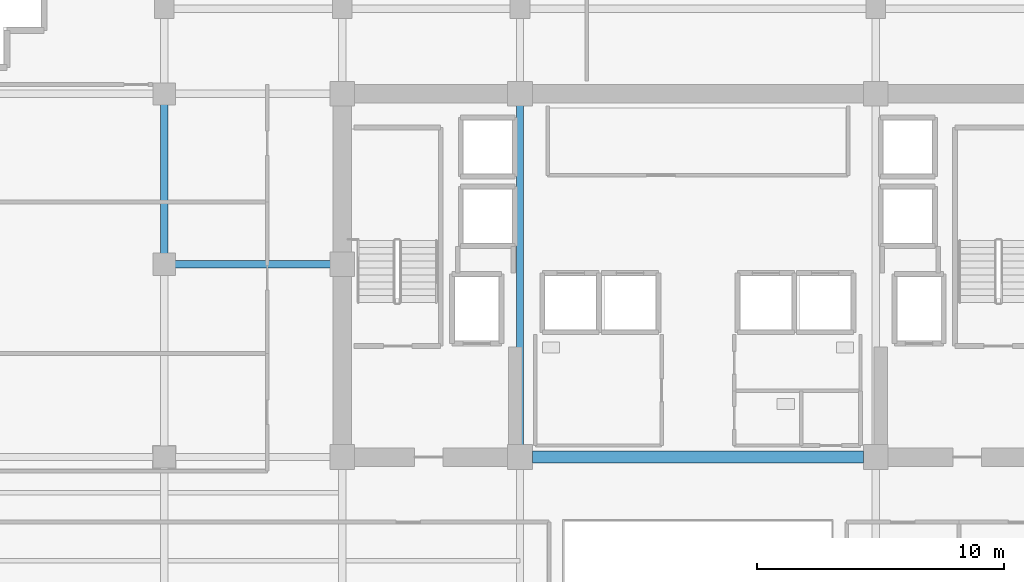
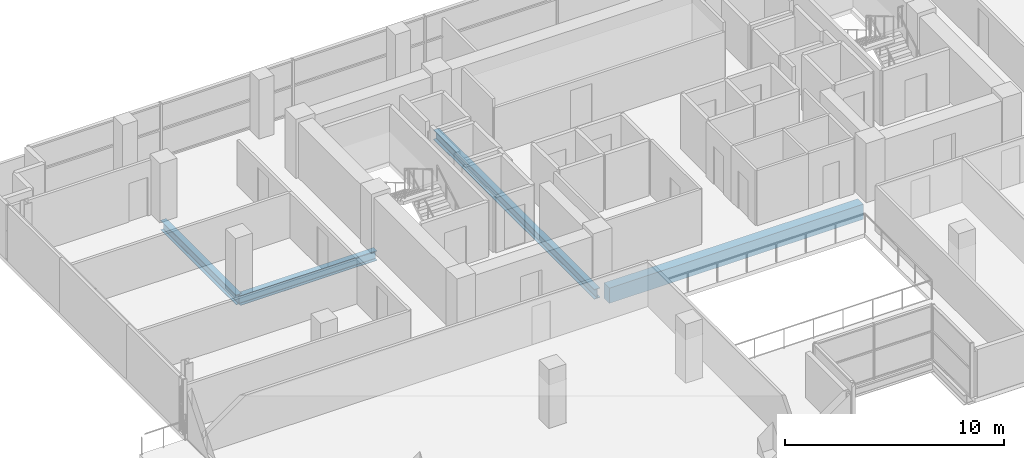
# One storey, part 9 of 28: 4 beams.
"""IFC4 building model written with IfcOpenShell, lengths in metres."""

from ifc_helpers import new_model, si_unit, direction, frame, origin, origin_2d, place, context, subcontext, project, spatial, rectangle, i_section, extrude, material, material_profile, profile_set, type_object, element, save


model = new_model("IFC4")

# Units and contexts
model_context = context("Model", 3, precision=1e-05, world=origin(), true_north=direction((0.0, 1.0)))
body_context = subcontext(model_context, "Body", "Model", "MODEL_VIEW")
ifc_project = project(units=[si_unit("LENGTHUNIT", "METRE"), si_unit("AREAUNIT", "SQUARE_METRE"), si_unit("VOLUMEUNIT", "CUBIC_METRE"), si_unit("PLANEANGLEUNIT", "RADIAN"), si_unit("MASSUNIT", "GRAM", prefix="KILO")], contexts=[model_context])

# Site, building, storey
site_placement = place(None, origin())
site = spatial("IfcSite", under=ifc_project, at=site_placement, CompositionType="ELEMENT")
building_placement = place(site_placement, origin())
building = spatial("IfcBuilding", under=site, at=building_placement, Name="Zarnakvel Exchange Tower", CompositionType="ELEMENT")
storey_placement = place(building_placement, frame((0.0, 0.0, 109.89990234375)))
storey = spatial("IfcBuildingStorey", under=building, at=storey_placement, Name="L30", CompositionType="ELEMENT", Elevation=109.89990234375)

# Beams
ifc_material_1 = material(Name="Concrete C60/75", Category="concrete")
ifc_material_profile_1 = material_profile(ifc_material_1, rectangle(XDim=0.5, YDim=0.85009765625, at=origin_2d()))
ifc_profile_set_1 = profile_set([ifc_material_profile_1], Name="Concrete C60/75")
beam_type_1 = type_object("IfcBeamType", Name="CB-02", PredefinedType="LINTEL", material=ifc_profile_set_1)
beam_1_placement = place(storey_placement, frame((-6.699951171875, -1.199951171875, -0.64990234375), z_axis=(1.0, 0.0, 0.0), x_axis=(0.0, 1.0, 0.0)))
element("IfcBeam", 1, at=beam_1_placement, inside=storey, type_object=beam_type_1, Name="L30 Rear Core South Coupling Beam (CB-02)", PredefinedType="LINTEL", context=body_context, shape_type="SweptSolid", body=[
    extrude(rectangle(XDim=0.5, YDim=0.85009765625, at=origin_2d()), origin(), (0.0, 0.0, 1.0), 13.39990234375),
])
ifc_material_2 = material(Name="Steel S355", Category="steel")
ifc_material_profile_2 = material_profile(ifc_material_2, i_section(OverallWidth=0.300048828125, OverallDepth=0.550048828125, WebThickness=0.014892578125, FlangeThickness=0.029052734375, FilletRadius=0.027099609375, at=origin_2d()))
ifc_profile_set_2 = profile_set([ifc_material_profile_2], Name="Steel S355")
beam_type_2 = type_object("IfcBeamType", Name="G-05", PredefinedType="BEAM", material=ifc_profile_set_2)
beam_2_placement = place(storey_placement, frame((-21.60009765625, 6.60009765625, -0.5), z_axis=(1.0, 0.0, 0.0), x_axis=(0.0, 1.0, 0.0)))
element("IfcBeam", 2, at=beam_2_placement, inside=storey, type_object=beam_type_2, Name="L30 Tower E-W Frame Beam", PredefinedType="BEAM", context=body_context, shape_type="SweptSolid", body=[
    extrude(i_section(OverallWidth=0.300048828125, OverallDepth=0.550048828125, WebThickness=0.014892578125, FlangeThickness=0.029052734375, FilletRadius=0.027099609375, at=origin_2d()), origin(), (0.0, 0.0, 1.0), 7.2001953125),
])
beam_3_placement = place(storey_placement, frame((-21.60009765625, 6.60009765625, -0.5), z_axis=(0.0, 1.0, 0.0), x_axis=(-1.0, 0.0, 0.0)))
element("IfcBeam", 3, at=beam_3_placement, inside=storey, type_object=beam_type_2, Name="L30 Tower N-S Frame Beam", PredefinedType="BEAM", context=body_context, shape_type="SweptSolid", body=[
    extrude(i_section(OverallWidth=0.300048828125, OverallDepth=0.550048828125, WebThickness=0.014892578125, FlangeThickness=0.029052734375, FilletRadius=0.027099609375, at=origin_2d()), origin(), (0.0, 0.0, 1.0), 6.89990234375),
])
beam_4_placement = place(storey_placement, frame((-7.199951171875, -1.199951171875, -0.5), z_axis=(0.0, 1.0, 0.0), x_axis=(-1.0, 0.0, 0.0)))
element("IfcBeam", 4, at=beam_4_placement, inside=storey, type_object=beam_type_2, Name="L30 Tower N-S Frame Beam", PredefinedType="BEAM", context=body_context, shape_type="SweptSolid", body=[
    extrude(i_section(OverallWidth=0.300048828125, OverallDepth=0.550048828125, WebThickness=0.014892578125, FlangeThickness=0.029052734375, FilletRadius=0.027099609375, at=origin_2d()), origin(), (0.0, 0.0, 1.0), 14.699951171875),
])

save(model, "model.ifc")
